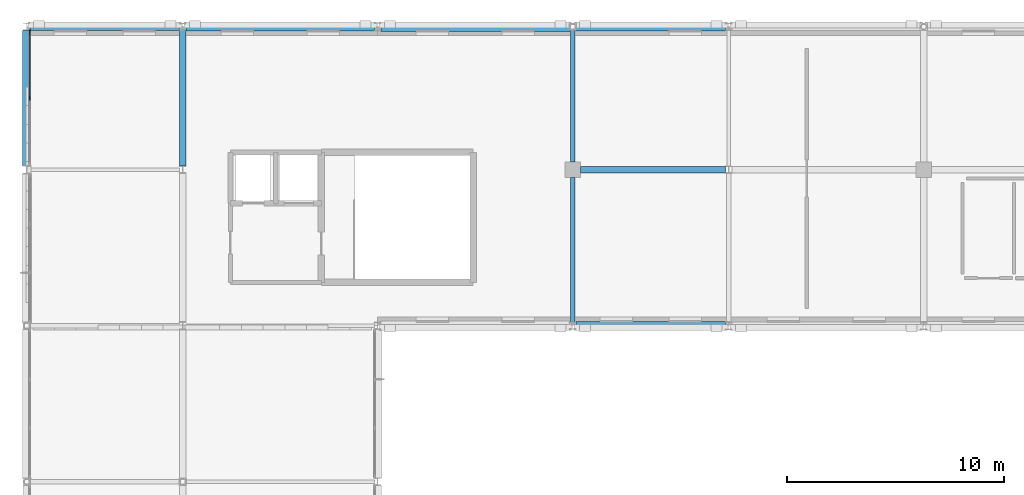
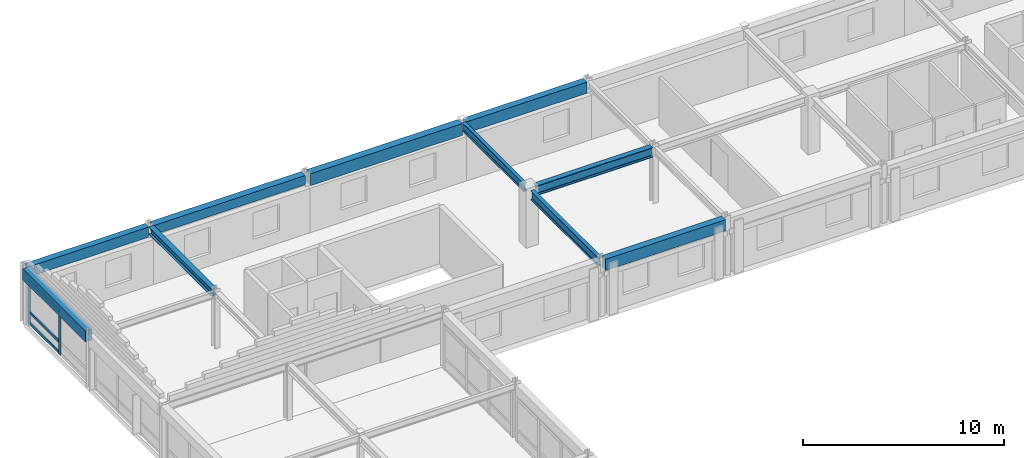
# One storey, part 16 of 52: 10 beams, 5 members, 1 element without a shape of its own.
"""IFC4 building model written with IfcOpenShell, lengths in metres."""

from ifc_helpers import new_model, si_unit, direction, frame, origin, origin_2d, place, context, subcontext, project, spatial, rectangle, i_section, extrude, material, material_profile, profile_set, type_object, element, aggregate, save


model = new_model("IFC4")

# Units and contexts
model_context = context("Model", 3, precision=1e-05, world=origin(), true_north=direction((0.0, 1.0)))
body_context = subcontext(model_context, "Body", "Model", "MODEL_VIEW")
ifc_project = project(units=[si_unit("LENGTHUNIT", "METRE"), si_unit("AREAUNIT", "SQUARE_METRE"), si_unit("VOLUMEUNIT", "CUBIC_METRE"), si_unit("PLANEANGLEUNIT", "RADIAN"), si_unit("MASSUNIT", "GRAM", prefix="KILO")], contexts=[model_context])

# Site, building, storey
site_placement = place(None, origin())
site = spatial("IfcSite", under=ifc_project, at=site_placement, CompositionType="ELEMENT")
building_placement = place(site_placement, origin())
building = spatial("IfcBuilding", under=site, at=building_placement, Name="Clarverna Civic Hall", CompositionType="ELEMENT")
storey_placement = place(building_placement, frame((0.0, 0.0, 16.800048828125)))
storey = spatial("IfcBuildingStorey", under=building, at=storey_placement, Name="L04", CompositionType="ELEMENT", Elevation=16.800048828125)

# Beams
ifc_material_1 = material(Name="Concrete C35/45", Category="concrete")
ifc_material_profile_1 = material_profile(ifc_material_1, rectangle(XDim=0.419921875, YDim=0.719970703125, at=origin_2d()), Name="RC 420x720")
ifc_profile_set_1 = profile_set([ifc_material_profile_1], Name="Concrete C35/45")
beam_type_1 = type_object("IfcBeamType", Name="B-SP1", PredefinedType="SPANDREL", material=ifc_profile_set_1)
beam_1_placement = place(storey_placement, frame((16.35009765625, 116.0, 3.06005859375), z_axis=(1.0, 0.0, 0.0), x_axis=(0.0, 1.0, 0.0)))
element("IfcBeam", 1, at=beam_1_placement, inside=storey, type_object=beam_type_1, Name="B-SP1-132", PredefinedType="SPANDREL", context=body_context, shape_type="SweptSolid", body=[
    extrude(rectangle(XDim=0.419921875, YDim=0.719970703125, at=origin_2d()), origin(), (0.0, 0.0, 1.0), 8.724853515625),
])
ifc_material_profile_2 = material_profile(ifc_material_1, rectangle(XDim=0.3798828125, YDim=0.679931640625, at=origin_2d()), Name="RC 380x680")
ifc_profile_set_2 = profile_set([ifc_material_profile_2], Name="Concrete C35/45")
beam_type_2 = type_object("IfcBeamType", Name="B-SP2", PredefinedType="SPANDREL", material=ifc_profile_set_2)
beam_2_placement = place(storey_placement, frame((25.35009765625, 102.199951171875, 3.079833984375), z_axis=(1.0, 0.0, 0.0), x_axis=(0.0, 1.0, 0.0)))
element("IfcBeam", 2, at=beam_2_placement, inside=storey, type_object=beam_type_2, Name="B-SP2-136", PredefinedType="SPANDREL", context=body_context, shape_type="SweptSolid", body=[
    extrude(rectangle(XDim=0.3798828125, YDim=0.679931640625, at=origin_2d()), origin(), (0.0, 0.0, 1.0), 6.89990234375),
])
beam_3_placement = place(storey_placement, frame((25.324951171875, 116.0, 3.079833984375), z_axis=(1.0, 0.0, 0.0), x_axis=(0.0, 1.0, 0.0)))
element("IfcBeam", 3, at=beam_3_placement, inside=storey, type_object=beam_type_2, Name="B-SP2-139", PredefinedType="SPANDREL", context=body_context, shape_type="SweptSolid", body=[
    extrude(rectangle(XDim=0.3798828125, YDim=0.679931640625, at=origin_2d()), origin(), (0.0, 0.0, 1.0), 6.925048828125),
])
beam_4_placement = place(storey_placement, frame((0.0, 109.580078125, 3.079833984375), z_axis=(0.0, 1.0, 0.0), x_axis=(-1.0, 0.0, 0.0)))
element("IfcBeam", 4, at=beam_4_placement, inside=storey, type_object=beam_type_2, Name="B-SP2-143", PredefinedType="SPANDREL", context=body_context, shape_type="SweptSolid", body=[
    extrude(rectangle(XDim=0.3798828125, YDim=0.679931640625, at=origin_2d()), origin(), (0.0, 0.0, 1.0), 6.25),
])
ifc_material_profile_3 = material_profile(ifc_material_1, rectangle(XDim=0.360107421875, YDim=0.6201171875, at=origin_2d()), Name="RC 360x620")
ifc_profile_set_3 = profile_set([ifc_material_profile_3], Name="Concrete C35/45")
beam_type_3 = type_object("IfcBeamType", Name="B-SP3", PredefinedType="SPANDREL", material=ifc_profile_set_3)
beam_5_placement = place(storey_placement, frame((0.14990234375, 116.0, 3.10986328125), z_axis=(1.0, 0.0, 0.0), x_axis=(0.0, 1.0, 0.0)))
element("IfcBeam", 5, at=beam_5_placement, inside=storey, type_object=beam_type_3, Name="B-SP3-137", PredefinedType="SPANDREL", context=body_context, shape_type="SweptSolid", body=[
    extrude(rectangle(XDim=0.360107421875, YDim=0.6201171875, at=origin_2d()), origin(), (0.0, 0.0, 1.0), 6.900146484375),
])
ifc_material_profile_4 = material_profile(ifc_material_1, rectangle(XDim=0.39990234375, YDim=0.56005859375, at=origin_2d()), Name="RC 400x560")
ifc_profile_set_4 = profile_set([ifc_material_profile_4], Name="Concrete C35/45")
beam_type_4 = type_object("IfcBeamType", Name="B-SP4", PredefinedType="SPANDREL", material=ifc_profile_set_4)
beam_6_placement = place(storey_placement, frame((7.35009765625, 116.0, 3.139892578125), z_axis=(1.0, 0.0, 0.0), x_axis=(0.0, 1.0, 0.0)))
element("IfcBeam", 6, at=beam_6_placement, inside=storey, type_object=beam_type_4, Name="B-SP4-135", PredefinedType="SPANDREL", context=body_context, shape_type="SweptSolid", body=[
    extrude(rectangle(XDim=0.39990234375, YDim=0.56005859375, at=origin_2d()), origin(), (0.0, 0.0, 1.0), 8.699951171875),
])
ifc_material_2 = material(Name="Steel S355", Category="steel")
ifc_material_profile_5 = material_profile(ifc_material_2, i_section(OverallWidth=0.300048828125, OverallDepth=0.60009765625, WebThickness=0.015380859375, FlangeThickness=0.030029296875, FilletRadius=0.027099609375, at=origin_2d()), Name="HEB 600")
ifc_profile_set_5 = profile_set([ifc_material_profile_5], Name="Steel S355")
beam_type_5 = type_object("IfcBeamType", Name="B-ST1", PredefinedType="BEAM", material=ifc_profile_set_5)
beam_7_placement = place(storey_placement, frame((25.550048828125, 109.39990234375, 3.119873046875), z_axis=(1.0, 0.0, 0.0), x_axis=(0.0, 1.0, 0.0)))
element("IfcBeam", 7, at=beam_7_placement, inside=storey, type_object=beam_type_5, Name="B-ST1-018", PredefinedType="BEAM", context=body_context, shape_type="SweptSolid", body=[
    extrude(i_section(OverallWidth=0.300048828125, OverallDepth=0.60009765625, WebThickness=0.015380859375, FlangeThickness=0.030029296875, FilletRadius=0.027099609375, at=origin_2d()), origin(), (0.0, 0.0, 1.0), 6.699951171875),
])
ifc_material_profile_6 = material_profile(ifc_material_2, i_section(OverallWidth=0.2099609375, OverallDepth=0.550048828125, WebThickness=0.010986328125, FlangeThickness=0.01708984375, FilletRadius=0.02392578125, at=origin_2d()), Name="IPE 550")
ifc_profile_set_6 = profile_set([ifc_material_profile_6], Name="Steel S355")
beam_type_6 = type_object("IfcBeamType", Name="B-ST11", PredefinedType="BEAM", material=ifc_profile_set_6)
beam_8_placement = place(storey_placement, frame((25.199951171875, 102.35498046875, 3.14501953125), z_axis=(0.0, 1.0, 0.0), x_axis=(-1.0, 0.0, 0.0)))
element("IfcBeam", 8, at=beam_8_placement, inside=storey, type_object=beam_type_6, Name="B-ST11-021", PredefinedType="BEAM", context=body_context, shape_type="SweptSolid", body=[
    extrude(i_section(OverallWidth=0.2099609375, OverallDepth=0.550048828125, WebThickness=0.010986328125, FlangeThickness=0.01708984375, FilletRadius=0.02392578125, at=origin_2d()), origin(), (0.0, 0.0, 1.0), 6.695068359375),
])
ifc_material_profile_7 = material_profile(ifc_material_2, i_section(OverallWidth=0.199951171875, OverallDepth=0.5, WebThickness=0.01025390625, FlangeThickness=0.01611328125, FilletRadius=0.02099609375, at=origin_2d()), Name="IPE 500")
ifc_profile_set_7 = profile_set([ifc_material_profile_7], Name="Steel S355")
beam_type_7 = type_object("IfcBeamType", Name="B-ST12", PredefinedType="BEAM", material=ifc_profile_set_7)
beam_9_placement = place(storey_placement, frame((25.199951171875, 109.75, 3.169921875), z_axis=(0.0, 1.0, 0.0), x_axis=(-1.0, 0.0, 0.0)))
element("IfcBeam", 9, at=beam_9_placement, inside=storey, type_object=beam_type_7, Name="B-ST12-019", PredefinedType="BEAM", context=body_context, shape_type="SweptSolid", body=[
    extrude(i_section(OverallWidth=0.199951171875, OverallDepth=0.5, WebThickness=0.01025390625, FlangeThickness=0.01611328125, FilletRadius=0.02099609375, at=origin_2d()), origin(), (0.0, 0.0, 1.0), 6.125),
])
ifc_material_profile_8 = material_profile(ifc_material_2, i_section(OverallWidth=0.300048828125, OverallDepth=0.43994140625, WebThickness=0.011474609375, FlangeThickness=0.02099609375, FilletRadius=0.027099609375, at=origin_2d()), Name="HEA 450")
ifc_profile_set_8 = profile_set([ifc_material_profile_8], Name="Steel S355")
beam_type_8 = type_object("IfcBeamType", Name="B-ST5", PredefinedType="BEAM", material=ifc_profile_set_8)
beam_10_placement = place(storey_placement, frame((7.199951171875, 109.570068359375, 3.199951171875), z_axis=(0.0, 1.0, 0.0), x_axis=(-1.0, 0.0, 0.0)))
element("IfcBeam", 10, at=beam_10_placement, inside=storey, type_object=beam_type_8, Name="B-ST5-137", PredefinedType="BEAM", context=body_context, shape_type="SweptSolid", body=[
    extrude(i_section(OverallWidth=0.300048828125, OverallDepth=0.43994140625, WebThickness=0.011474609375, FlangeThickness=0.02099609375, FilletRadius=0.027099609375, at=origin_2d()), origin(), (0.0, 0.0, 1.0), 6.27001953125),
])

# Curtain wall, members
ifc_material_3 = material(Name="Anodised Bronze Architectural Aluminium", Category="aluminium")
curtain_wall_type = type_object("IfcCurtainWallType", Name="CW-05", PredefinedType="USERDEFINED", material=ifc_material_3)
curtain_wall_placement = place(storey_placement, origin())
curtain_wall = element("IfcCurtainWall", 11, at=curtain_wall_placement, inside=storey, type_object=curtain_wall_type, Name="CW-05-029", ObjectType="UNITISED CURTAIN WALL", PredefinedType="USERDEFINED")
ifc_material_profile_9 = material_profile(ifc_material_3, rectangle(XDim=0.06494140625, YDim=0.199951171875, at=origin_2d()), Name="BRONZE 65x200")
ifc_profile_set_9 = profile_set([ifc_material_profile_9], Name="Anodised Bronze Architectural Aluminium")
member_type_1 = type_object("IfcMemberType", Name="CWM-03", PredefinedType="MULLION", material=ifc_profile_set_9)
member_1_placement = place(storey_placement, frame((0.139892578125, 112.705078125, 0.0), z_axis=(0.0, 0.0, 1.0), x_axis=(1.0, 0.0, 0.0)))
member_1 = element("IfcMember", 12, at=member_1_placement, type_object=member_type_1, Name="CWM-03-193", PredefinedType="MULLION", context=body_context, shape_type="SweptSolid", body=[
    extrude(rectangle(XDim=0.06494140625, YDim=0.199951171875, at=origin_2d()), origin(), (0.0, 0.0, 1.0), 2.699951171875),
])
member_2_placement = place(storey_placement, frame((0.139892578125, 115.757080078125, 0.0), z_axis=(0.0, 0.0, 1.0), x_axis=(1.0, 0.0, 0.0)))
member_2 = element("IfcMember", 13, at=member_2_placement, type_object=member_type_1, Name="CWM-03-194", PredefinedType="MULLION", context=body_context, shape_type="SweptSolid", body=[
    extrude(rectangle(XDim=0.06494140625, YDim=0.199951171875, at=origin_2d()), origin(), (0.0, 0.0, 1.0), 2.699951171875),
])
ifc_material_profile_10 = material_profile(ifc_material_3, rectangle(XDim=0.06494140625, YDim=0.169921875, at=origin_2d()), Name="BRONZE 65x170")
ifc_profile_set_10 = profile_set([ifc_material_profile_10], Name="Anodised Bronze Architectural Aluminium")
member_type_2 = type_object("IfcMemberType", Name="CWT-03", PredefinedType="USERDEFINED", material=ifc_profile_set_10)
member_3_placement = place(storey_placement, frame((0.139892578125, 112.719970703125, 0.094970703125), z_axis=(0.0, 1.0, 0.0), x_axis=(-1.0, 0.0, 0.0)))
member_3 = element("IfcMember", 14, at=member_3_placement, type_object=member_type_2, Name="CWT-03-412", ObjectType="TRANSOM", PredefinedType="USERDEFINED", context=body_context, shape_type="SweptSolid", body=[
    extrude(rectangle(XDim=0.06494140625, YDim=0.169921875, at=origin_2d()), origin(), (0.0, 0.0, 1.0), 3.02197265625),
])
member_4_placement = place(storey_placement, frame((0.139892578125, 112.719970703125, 0.75), z_axis=(0.0, 1.0, 0.0), x_axis=(-1.0, 0.0, 0.0)))
member_4 = element("IfcMember", 15, at=member_4_placement, type_object=member_type_2, Name="CWT-03-413", ObjectType="TRANSOM", PredefinedType="USERDEFINED", context=body_context, shape_type="SweptSolid", body=[
    extrude(rectangle(XDim=0.06494140625, YDim=0.169921875, at=origin_2d()), origin(), (0.0, 0.0, 1.0), 3.02197265625),
])
member_5_placement = place(storey_placement, frame((0.139892578125, 112.719970703125, 2.60498046875), z_axis=(0.0, 1.0, 0.0), x_axis=(-1.0, 0.0, 0.0)))
member_5 = element("IfcMember", 16, at=member_5_placement, type_object=member_type_2, Name="CWT-03-414", ObjectType="TRANSOM", PredefinedType="USERDEFINED", context=body_context, shape_type="SweptSolid", body=[
    extrude(rectangle(XDim=0.06494140625, YDim=0.169921875, at=origin_2d()), origin(), (0.0, 0.0, 1.0), 3.02197265625),
])
aggregate(curtain_wall, [member_1, member_2, member_3, member_4, member_5])

save(model, "model.ifc")
